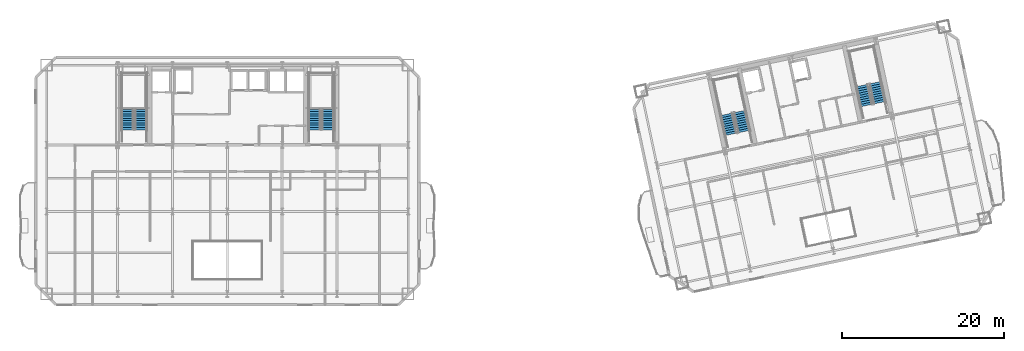
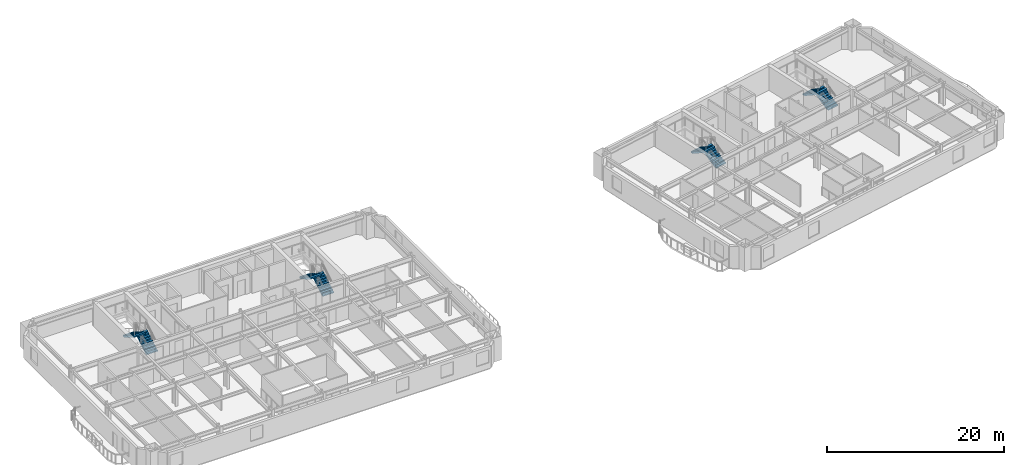
# One storey, part 9 of 13: 8 stair flights, 4 elements without a shape of their own.
"""IFC4 building model written with IfcOpenShell, lengths in metres."""

import ifcopenshell
import ifcopenshell.guid

model = None  # the IFC model being written
_history = None  # IfcOwnerHistory: only IFC2X3 demands one
_inside = {}  # id of a spatial element -> (the spatial element, [elements in it])
_under = {}  # id of a project, library or spatial element -> (it, [spatial elements below it])
_declared = {}  # id of a project -> (the project, [libraries it declares])
_typed = {}  # id of a type object -> (the type object, [elements of that type])
_made_of = {}  # id of a material, layer set ... -> (it, [elements and type objects made of it])


def new_model(schema):
    """Start an empty IFC model of exactly this schema.

    Asked for "IFC4X3", IfcOpenShell would pick the latest addendum, in which some entities
    have other attributes; the version numbers below select the first issue.
    IFC2X3 requires an IfcOwnerHistory on every rooted entity: one is made here for all.
    """
    global model, _history
    if schema == "IFC4X3":
        model = ifcopenshell.file(schema_version=(4, 3, 0, 0))
    else:
        model = ifcopenshell.file(schema=schema)
    _inside.clear()
    _under.clear()
    _declared.clear()
    _typed.clear()
    _made_of.clear()
    _history = None
    if model.schema == "IFC2X3":
        org = make("IfcOrganization", Name="unknown")
        user = make(
            "IfcPersonAndOrganization",
            ThePerson=make("IfcPerson", FamilyName="unknown"),
            TheOrganization=org,
        )
        app = make(
            "IfcApplication",
            ApplicationDeveloper=org,
            Version="unknown",
            ApplicationFullName="unknown",
            ApplicationIdentifier="unknown",
        )
        _history = make(
            "IfcOwnerHistory",
            OwningUser=user,
            OwningApplication=app,
            ChangeAction="ADDED",
            CreationDate=0,
        )
    return model


def make(cls, **values):
    """One entity of the class cls with the attributes given. An attribute that is None is left unset."""
    return model.create_entity(
        cls, **{name: value for name, value in values.items() if value is not None}
    )


def rooted(cls, **values):
    """An entity with a GlobalId (a new one), such as an element, a storey or a relation."""
    return make(cls, GlobalId=ifcopenshell.guid.new(), OwnerHistory=_history, **values)


def si_unit(unit_type, name, prefix=None):
    """IfcSIUnit, for example si_unit("LENGTHUNIT", "METRE", prefix="MILLI")."""
    return make("IfcSIUnit", UnitType=unit_type, Prefix=prefix, Name=name)


def assignment(units):
    """IfcUnitAssignment: the units of a project."""
    return None if units is None else make("IfcUnitAssignment", Units=units)


def point(xyz):
    """IfcCartesianPoint."""
    return None if xyz is None else make("IfcCartesianPoint", Coordinates=xyz)


def direction(xyz):
    """IfcDirection."""
    return None if xyz is None else make("IfcDirection", DirectionRatios=xyz)


def frame(location, z_axis=None, x_axis=None):
    """IfcAxis2Placement3D, a coordinate frame: its origin and axes. An axis left out is left unset."""
    return make(
        "IfcAxis2Placement3D",
        Location=point(location),
        Axis=direction(z_axis),
        RefDirection=direction(x_axis),
    )


def origin():
    """The frame at (0, 0, 0) with its axes left unset."""
    return frame((0.0, 0.0, 0.0))


def place(relative_to, where):
    """IfcLocalPlacement: puts the frame where relative to a parent placement (None: the world)."""
    return make(
        "IfcLocalPlacement", PlacementRelTo=relative_to, RelativePlacement=where
    )


def context(
    kind, dimensions, precision=None, world=None, true_north=None, identifier=None
):
    """IfcGeometricRepresentationContext, for example the 3D "Model" context."""
    return make(
        "IfcGeometricRepresentationContext",
        ContextIdentifier=identifier,
        ContextType=kind,
        CoordinateSpaceDimension=dimensions,
        Precision=precision,
        WorldCoordinateSystem=world,
        TrueNorth=true_north,
    )


def subcontext(parent, identifier, kind, view, scale=None):
    """IfcGeometricRepresentationSubContext, for example "Body" below "Model"."""
    return make(
        "IfcGeometricRepresentationSubContext",
        ContextIdentifier=identifier,
        ContextType=kind,
        ParentContext=parent,
        TargetScale=scale,
        TargetView=view,
    )


def project(units=None, contexts=None):
    """IfcProject with its units and contexts."""
    return rooted(
        "IfcProject",
        Name="project",
        RepresentationContexts=contexts,
        UnitsInContext=assignment(units),
    )


def spatial(cls, under=None, at=None, **own):
    """A site, building, storey or space (cls), placed at a placement, below another one or the project."""
    s = rooted(cls, ObjectPlacement=at, **own)
    if under is not None:
        _under.setdefault(under.id(), (under, []))[1].append(s)
    return s


def polyline(points):
    """IfcPolyline through the points."""
    return make("IfcPolyline", Points=[point(p) for p in points])


def outline(outer, holes=None, kind="AREA"):
    """IfcArbitraryClosedProfileDef: a profile drawn as a closed curve; with holes, ...WithVoids."""
    if holes is None:
        return make("IfcArbitraryClosedProfileDef", ProfileType=kind, OuterCurve=outer)
    return make(
        "IfcArbitraryProfileDefWithVoids",
        ProfileType=kind,
        OuterCurve=outer,
        InnerCurves=holes,
    )


def extrude(swept, where, along, depth):
    """IfcExtrudedAreaSolid: the profile swept, set in the frame where, extruded along a direction by depth."""
    return make(
        "IfcExtrudedAreaSolid",
        SweptArea=swept,
        Position=where,
        ExtrudedDirection=direction(along),
        Depth=depth,
    )


def shape(context_of_items, identifier, shape_type, items):
    """IfcShapeRepresentation: the items that make up one representation, for example the "Body"."""
    return make(
        "IfcShapeRepresentation",
        ContextOfItems=context_of_items,
        RepresentationIdentifier=identifier,
        RepresentationType=shape_type,
        Items=items,
    )


def material(Name=None, Category=None):
    """IfcMaterial."""
    return make("IfcMaterial", Name=Name, Category=Category)


def made_of(thing, what):
    """Note that an element or type object is made of a material, layer set ...; save() writes the relation."""
    if what is not None:
        _made_of.setdefault(what.id(), (what, []))[1].append(thing)
    return thing


def type_object(cls, material=None, **own):
    """A type object (cls), such as IfcWallType, which elements share."""
    return made_of(rooted(cls, **own), material)


def element(
    cls,
    number,
    at=None,
    inside=None,
    cuts=None,
    type_object=None,
    material=None,
    context=None,
    identifier="Body",
    shape_type=None,
    held_by="IfcProductDefinitionShape",
    body=None,
    shapes=None,
    **own,
):
    """One element of the class cls, such as IfcWall. Its Tag is "e" and its number.

    at: its placement. inside: the storey or other place that contains it. cuts: it is an
    opening in that element (IfcRelVoidsElement). A single representation is given by context,
    identifier, shape_type and body (its items); several are given by shapes. held_by: the class
    of the entity that holds the representations. save() writes the other relations.
    """
    e = rooted(cls, Tag="e%d" % number, ObjectPlacement=at, **own)
    if body is not None:
        shapes = [shape(context, identifier, shape_type, body)]
    if shapes is not None:
        e.Representation = make(held_by, Representations=shapes)
    if inside is not None:
        _inside.setdefault(inside.id(), (inside, []))[1].append(e)
    if cuts is not None:
        rooted(
            "IfcRelVoidsElement", RelatingBuildingElement=cuts, RelatedOpeningElement=e
        )
    if type_object is not None:
        _typed.setdefault(type_object.id(), (type_object, []))[1].append(e)
    return made_of(e, material)


def aggregate(whole, parts):
    """IfcRelAggregates: a whole, such as a stair, and the parts it consists of."""
    return rooted("IfcRelAggregates", RelatingObject=whole, RelatedObjects=parts)


def save(model, path):
    """Write the relations noted so far, then the file.

    IfcRelAggregates (storeys below a building ...), IfcRelContainedInSpatialStructure (elements
    in a storey), IfcRelDefinesByType, IfcRelAssociatesMaterial and IfcRelDeclares: one each for
    every whole, place, type object, material and project.
    """
    for whole, parts in _under.values():
        aggregate(whole, parts)
    for where, things in _inside.values():
        rooted(
            "IfcRelContainedInSpatialStructure",
            RelatedElements=things,
            RelatingStructure=where,
        )
    for kind, things in _typed.values():
        rooted("IfcRelDefinesByType", RelatedObjects=things, RelatingType=kind)
    for what, things in _made_of.values():
        rooted("IfcRelAssociatesMaterial", RelatedObjects=things, RelatingMaterial=what)
    for by, libraries in _declared.values():
        rooted("IfcRelDeclares", RelatingContext=by, RelatedDefinitions=libraries)
    model.write(path)


model = new_model("IFC4")

# Units and contexts
model_context = context("Model", 3, precision=1e-05, world=origin(), true_north=direction((0.0, 1.0)))
body_context = subcontext(model_context, "Body", "Model", "MODEL_VIEW")
ifc_project = project(units=[si_unit("LENGTHUNIT", "METRE"), si_unit("AREAUNIT", "SQUARE_METRE"), si_unit("VOLUMEUNIT", "CUBIC_METRE"), si_unit("PLANEANGLEUNIT", "RADIAN"), si_unit("MASSUNIT", "GRAM", prefix="KILO")], contexts=[model_context])

# Site, building, storey
site_placement = place(None, origin())
site = spatial("IfcSite", under=ifc_project, at=site_placement, CompositionType="ELEMENT")
building_placement = place(site_placement, origin())
building = spatial("IfcBuilding", under=site, at=building_placement, Name="Haevon Station Towers", CompositionType="ELEMENT")
storey_placement = place(building_placement, frame((0.0, 0.0, 99.89990234375)))
storey = spatial("IfcBuildingStorey", under=building, at=storey_placement, Name="L26", CompositionType="ELEMENT", Elevation=99.89990234375)

# Stair, stair flights
ifc_material = material(Name="Concrete C40/50", Category="concrete")
stair_type = type_object("IfcStairType", Name="STR-DL1450", PredefinedType="USERDEFINED", material=ifc_material)
stair_1_placement = place(storey_placement, origin())
stair_1 = element("IfcStair", 1, at=stair_1_placement, inside=storey, type_object=stair_type, Name="L26 Escape Stair ST1", ObjectType="TWO_RETURN_STAIR", PredefinedType="USERDEFINED")
stair_flight_type = type_object("IfcStairFlightType", Name="STF-ST1450", PredefinedType="STRAIGHT", material=ifc_material)
stair_flight_1_placement = place(storey_placement, frame((26.85498046875, 40.050048828125, 0.0), z_axis=(0.0, 0.0, 1.0), x_axis=(0.0, 1.0, 0.0)))
stair_flight_1 = element("IfcStairFlight", 2, at=stair_flight_1_placement, type_object=stair_flight_type, Name="L26 ST1 Flight 1", NumberOfRisers=10, NumberOfTreads=9, PredefinedType="STRAIGHT", RiserHeight=0.165, TreadLength=0.28, context=body_context, shape_type="SweptSolid", body=[
    extrude(outline(polyline([(0.0, 0.0), (0.0, 0.1650390625), (0.280029296875, 0.1650390625), (0.280029296875, 0.330078125), (0.56005859375, 0.330078125), (0.56005859375, 0.4951171875), (0.840087890625, 0.4951171875), (0.840087890625, 0.659912109375), (1.1201171875, 0.659912109375), (1.1201171875, 0.824951171875), (1.39990234375, 0.824951171875), (1.39990234375, 0.989990234375), (1.679931640625, 0.989990234375), (1.679931640625, 1.155029296875), (1.9599609375, 1.155029296875), (1.9599609375, 1.320068359375), (2.239990234375, 1.320068359375), (2.239990234375, 1.485107421875), (2.52001953125, 1.485107421875), (2.52001953125, 1.64990234375), (2.52001953125, 1.29931640625), (0.31494140625, 0.0), (0.0, 0.0)])), frame((0.0, 0.72509765625, 0.0), z_axis=(0.0, -1.0, 0.0), x_axis=(1.0, 0.0, 0.0)), (0.0, 0.0, 1.0), 1.449951171875),
])
stair_flight_2_placement = place(storey_placement, frame((25.205078125, 42.570068359375, 1.650146484375), z_axis=(0.0, 0.0, 1.0), x_axis=(0.0, -1.0, 0.0)))
stair_flight_2 = element("IfcStairFlight", 3, at=stair_flight_2_placement, type_object=stair_flight_type, Name="L26 ST1 Flight 2", NumberOfRisers=10, NumberOfTreads=9, PredefinedType="STRAIGHT", RiserHeight=0.165, TreadLength=0.28, context=body_context, shape_type="SweptSolid", body=[
    extrude(outline(polyline([(0.0, 0.0), (0.0, 0.1650390625), (0.280029296875, 0.1650390625), (0.280029296875, 0.330078125), (0.56005859375, 0.330078125), (0.56005859375, 0.4951171875), (0.840087890625, 0.4951171875), (0.840087890625, 0.659912109375), (1.1201171875, 0.659912109375), (1.1201171875, 0.824951171875), (1.39990234375, 0.824951171875), (1.39990234375, 0.989990234375), (1.679931640625, 0.989990234375), (1.679931640625, 1.155029296875), (1.9599609375, 1.155029296875), (1.9599609375, 1.320068359375), (2.239990234375, 1.320068359375), (2.239990234375, 1.485107421875), (2.52001953125, 1.485107421875), (2.52001953125, 1.64990234375), (2.52001953125, 1.29931640625), (0.31494140625, 0.0), (0.0, 0.0)])), frame((0.0, 0.72509765625, 0.0), z_axis=(0.0, -1.0, 0.0), x_axis=(1.0, 0.0, 0.0)), (0.0, 0.0, 1.0), 1.449951171875),
])
aggregate(stair_1, [stair_flight_1, stair_flight_2])

stair_2_placement = place(storey_placement, origin())
stair_2 = element("IfcStair", 4, at=stair_2_placement, inside=storey, type_object=stair_type, Name="L26 Escape Stair ST2", ObjectType="TWO_RETURN_STAIR", PredefinedType="USERDEFINED")
stair_flight_3_placement = place(storey_placement, frame((49.89501953125, 40.050048828125, 0.0), z_axis=(0.0, 0.0, 1.0), x_axis=(0.0, 1.0, 0.0)))
stair_flight_3 = element("IfcStairFlight", 5, at=stair_flight_3_placement, type_object=stair_flight_type, Name="L26 ST2 Flight 1", NumberOfRisers=10, NumberOfTreads=9, PredefinedType="STRAIGHT", RiserHeight=0.165, TreadLength=0.28, context=body_context, shape_type="SweptSolid", body=[
    extrude(outline(polyline([(0.0, 0.0), (0.0, 0.1650390625), (0.280029296875, 0.1650390625), (0.280029296875, 0.330078125), (0.56005859375, 0.330078125), (0.56005859375, 0.4951171875), (0.840087890625, 0.4951171875), (0.840087890625, 0.659912109375), (1.1201171875, 0.659912109375), (1.1201171875, 0.824951171875), (1.39990234375, 0.824951171875), (1.39990234375, 0.989990234375), (1.679931640625, 0.989990234375), (1.679931640625, 1.155029296875), (1.9599609375, 1.155029296875), (1.9599609375, 1.320068359375), (2.239990234375, 1.320068359375), (2.239990234375, 1.485107421875), (2.52001953125, 1.485107421875), (2.52001953125, 1.64990234375), (2.52001953125, 1.29931640625), (0.31494140625, 0.0), (0.0, 0.0)])), frame((0.0, 0.72509765625, 0.0), z_axis=(0.0, -1.0, 0.0), x_axis=(1.0, 0.0, 0.0)), (0.0, 0.0, 1.0), 1.449951171875),
])
stair_flight_4_placement = place(storey_placement, frame((48.2451171875, 42.570068359375, 1.650146484375), z_axis=(0.0, 0.0, 1.0), x_axis=(0.0, -1.0, 0.0)))
stair_flight_4 = element("IfcStairFlight", 6, at=stair_flight_4_placement, type_object=stair_flight_type, Name="L26 ST2 Flight 2", NumberOfRisers=10, NumberOfTreads=9, PredefinedType="STRAIGHT", RiserHeight=0.165, TreadLength=0.28, context=body_context, shape_type="SweptSolid", body=[
    extrude(outline(polyline([(0.0, 0.0), (0.0, 0.1650390625), (0.280029296875, 0.1650390625), (0.280029296875, 0.330078125), (0.56005859375, 0.330078125), (0.56005859375, 0.4951171875), (0.840087890625, 0.4951171875), (0.840087890625, 0.659912109375), (1.1201171875, 0.659912109375), (1.1201171875, 0.824951171875), (1.39990234375, 0.824951171875), (1.39990234375, 0.989990234375), (1.679931640625, 0.989990234375), (1.679931640625, 1.155029296875), (1.9599609375, 1.155029296875), (1.9599609375, 1.320068359375), (2.239990234375, 1.320068359375), (2.239990234375, 1.485107421875), (2.52001953125, 1.485107421875), (2.52001953125, 1.64990234375), (2.52001953125, 1.29931640625), (0.31494140625, 0.0), (0.0, 0.0)])), frame((0.0, 0.72509765625, 0.0), z_axis=(0.0, -1.0, 0.0), x_axis=(1.0, 0.0, 0.0)), (0.0, 0.0, 1.0), 1.449951171875),
])
aggregate(stair_2, [stair_flight_3, stair_flight_4])

stair_3_placement = place(storey_placement, origin())
stair_3 = element("IfcStair", 7, at=stair_3_placement, inside=storey, type_object=stair_type, Name="L26 Escape Stair ST3", ObjectType="TWO_RETURN_STAIR", PredefinedType="USERDEFINED")
stair_flight_5_placement = place(storey_placement, frame((101.1015625, 39.8330078125, 0.0), z_axis=(0.0, 0.0, 1.0), x_axis=(-0.207911690818, 0.978147600734, 0.0)))
stair_flight_5 = element("IfcStairFlight", 8, at=stair_flight_5_placement, type_object=stair_flight_type, Name="L26 ST3 Flight 1", NumberOfRisers=10, NumberOfTreads=9, PredefinedType="STRAIGHT", RiserHeight=0.165, TreadLength=0.28, context=body_context, shape_type="SweptSolid", body=[
    extrude(outline(polyline([(0.0, 0.0), (0.0, 0.1650390625), (0.280029296875, 0.1650390625), (0.280029296875, 0.330078125), (0.56005859375, 0.330078125), (0.56005859375, 0.4951171875), (0.840087890625, 0.4951171875), (0.840087890625, 0.659912109375), (1.1201171875, 0.659912109375), (1.1201171875, 0.824951171875), (1.39990234375, 0.824951171875), (1.39990234375, 0.989990234375), (1.679931640625, 0.989990234375), (1.679931640625, 1.155029296875), (1.9599609375, 1.155029296875), (1.9599609375, 1.320068359375), (2.239990234375, 1.320068359375), (2.239990234375, 1.485107421875), (2.52001953125, 1.485107421875), (2.52001953125, 1.64990234375), (2.52001953125, 1.29931640625), (0.31494140625, 0.0), (0.0, 0.0)])), frame((0.0, 0.72509765625, 0.0), z_axis=(0.0, -1.0, 0.0), x_axis=(1.0, 0.0, 0.0)), (0.0, 0.0, 1.0), 1.449951171875),
])
stair_flight_6_placement = place(storey_placement, frame((98.9638671875, 41.955078125, 1.650146484375), z_axis=(0.0, 0.0, 1.0), x_axis=(0.207911690818, -0.978147600734, 0.0)))
stair_flight_6 = element("IfcStairFlight", 9, at=stair_flight_6_placement, type_object=stair_flight_type, Name="L26 ST3 Flight 2", NumberOfRisers=10, NumberOfTreads=9, PredefinedType="STRAIGHT", RiserHeight=0.165, TreadLength=0.28, context=body_context, shape_type="SweptSolid", body=[
    extrude(outline(polyline([(0.0, 0.0), (0.0, 0.1650390625), (0.280029296875, 0.1650390625), (0.280029296875, 0.330078125), (0.56005859375, 0.330078125), (0.56005859375, 0.4951171875), (0.840087890625, 0.4951171875), (0.840087890625, 0.659912109375), (1.1201171875, 0.659912109375), (1.1201171875, 0.824951171875), (1.39990234375, 0.824951171875), (1.39990234375, 0.989990234375), (1.679931640625, 0.989990234375), (1.679931640625, 1.155029296875), (1.9599609375, 1.155029296875), (1.9599609375, 1.320068359375), (2.239990234375, 1.320068359375), (2.239990234375, 1.485107421875), (2.52001953125, 1.485107421875), (2.52001953125, 1.64990234375), (2.52001953125, 1.29931640625), (0.31494140625, 0.0), (0.0, 0.0)])), frame((0.0, 0.72509765625, 0.0), z_axis=(0.0, -1.0, 0.0), x_axis=(1.0, 0.0, 0.0)), (0.0, 0.0, 1.0), 1.449951171875),
])
aggregate(stair_3, [stair_flight_5, stair_flight_6])

stair_4_placement = place(storey_placement, origin())
stair_4 = element("IfcStair", 10, at=stair_4_placement, inside=storey, type_object=stair_type, Name="L26 Escape Stair ST4", ObjectType="TWO_RETURN_STAIR", PredefinedType="USERDEFINED")
stair_flight_7_placement = place(storey_placement, frame((117.788818359375, 43.380126953125, 0.0), z_axis=(0.0, 0.0, 1.0), x_axis=(-0.207911690818, 0.978147600734, 0.0)))
stair_flight_7 = element("IfcStairFlight", 11, at=stair_flight_7_placement, type_object=stair_flight_type, Name="L26 ST4 Flight 1", NumberOfRisers=10, NumberOfTreads=9, PredefinedType="STRAIGHT", RiserHeight=0.165, TreadLength=0.28, context=body_context, shape_type="SweptSolid", body=[
    extrude(outline(polyline([(0.0, 0.0), (0.0, 0.1650390625), (0.280029296875, 0.1650390625), (0.280029296875, 0.330078125), (0.56005859375, 0.330078125), (0.56005859375, 0.4951171875), (0.840087890625, 0.4951171875), (0.840087890625, 0.659912109375), (1.1201171875, 0.659912109375), (1.1201171875, 0.824951171875), (1.39990234375, 0.824951171875), (1.39990234375, 0.989990234375), (1.679931640625, 0.989990234375), (1.679931640625, 1.155029296875), (1.9599609375, 1.155029296875), (1.9599609375, 1.320068359375), (2.239990234375, 1.320068359375), (2.239990234375, 1.485107421875), (2.52001953125, 1.485107421875), (2.52001953125, 1.64990234375), (2.52001953125, 1.29931640625), (0.31494140625, 0.0), (0.0, 0.0)])), frame((0.0, 0.72509765625, 0.0), z_axis=(0.0, -1.0, 0.0), x_axis=(1.0, 0.0, 0.0)), (0.0, 0.0, 1.0), 1.449951171875),
])
stair_flight_8_placement = place(storey_placement, frame((115.65087890625, 45.501953125, 1.650146484375), z_axis=(0.0, 0.0, 1.0), x_axis=(0.207911690818, -0.978147600734, 0.0)))
stair_flight_8 = element("IfcStairFlight", 12, at=stair_flight_8_placement, type_object=stair_flight_type, Name="L26 ST4 Flight 2", NumberOfRisers=10, NumberOfTreads=9, PredefinedType="STRAIGHT", RiserHeight=0.165, TreadLength=0.28, context=body_context, shape_type="SweptSolid", body=[
    extrude(outline(polyline([(0.0, 0.0), (0.0, 0.1650390625), (0.280029296875, 0.1650390625), (0.280029296875, 0.330078125), (0.56005859375, 0.330078125), (0.56005859375, 0.4951171875), (0.840087890625, 0.4951171875), (0.840087890625, 0.659912109375), (1.1201171875, 0.659912109375), (1.1201171875, 0.824951171875), (1.39990234375, 0.824951171875), (1.39990234375, 0.989990234375), (1.679931640625, 0.989990234375), (1.679931640625, 1.155029296875), (1.9599609375, 1.155029296875), (1.9599609375, 1.320068359375), (2.239990234375, 1.320068359375), (2.239990234375, 1.485107421875), (2.52001953125, 1.485107421875), (2.52001953125, 1.64990234375), (2.52001953125, 1.29931640625), (0.31494140625, 0.0), (0.0, 0.0)])), frame((0.0, 0.72509765625, 0.0), z_axis=(0.0, -1.0, 0.0), x_axis=(1.0, 0.0, 0.0)), (0.0, 0.0, 1.0), 1.449951171875),
])
aggregate(stair_4, [stair_flight_7, stair_flight_8])

save(model, "model.ifc")
